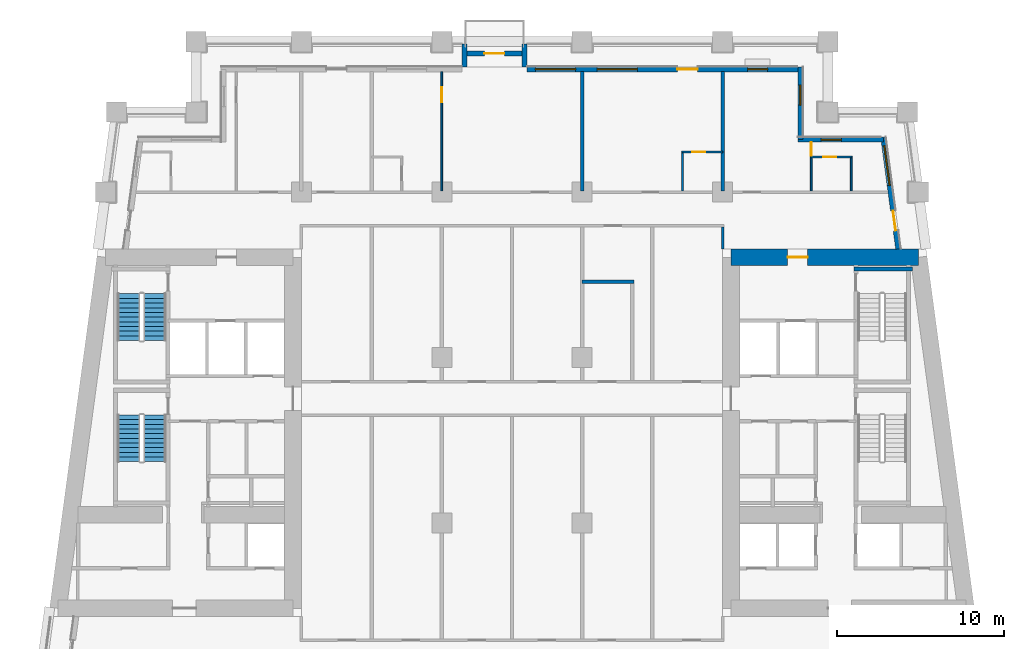
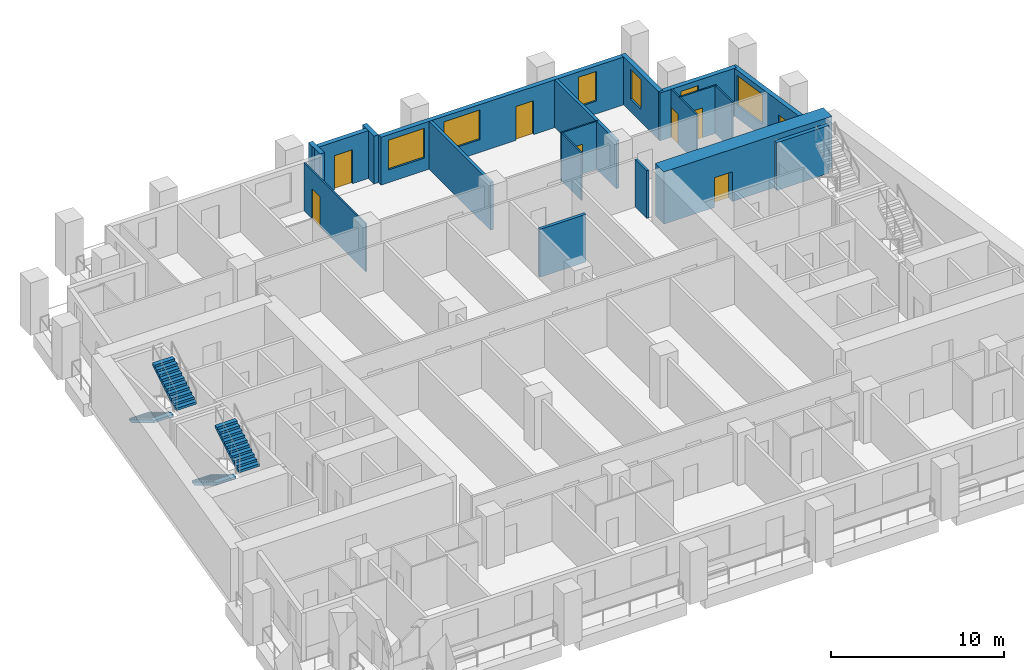
# One storey, part 7 of 13: 19 walls, 8 doors, 6 windows, 4 stair flights, 14 openings, 2 elements without a shape of their own.
"""IFC4 building model written with IfcOpenShell, lengths in metres."""

from ifc_helpers import new_model, si_unit, direction, frame, frame_2d, origin, place, context, subcontext, project, spatial, polyline, rectangle, outline, extrude, material, layer, layer_set, type_object, element, fill, aggregate, save


model = new_model("IFC4")

# Units and contexts
model_context = context("Model", 3, precision=1e-05, world=origin(), true_north=direction((0.0, 1.0)))
body_context = subcontext(model_context, "Body", "Model", "MODEL_VIEW")
ifc_project = project(units=[si_unit("LENGTHUNIT", "METRE"), si_unit("AREAUNIT", "SQUARE_METRE"), si_unit("VOLUMEUNIT", "CUBIC_METRE"), si_unit("PLANEANGLEUNIT", "RADIAN"), si_unit("MASSUNIT", "GRAM", prefix="KILO")], contexts=[model_context])

# Site, building, storey
site_placement = place(None, origin())
site = spatial("IfcSite", under=ifc_project, at=site_placement, CompositionType="ELEMENT")
building_placement = place(site_placement, origin())
building = spatial("IfcBuilding", under=site, at=building_placement, Name="Candeia Pilgrim Tower and Theatre", CompositionType="ELEMENT")
storey_placement = place(building_placement, frame((0.0, 0.0, 98.39990234375)))
storey = spatial("IfcBuildingStorey", under=building, at=storey_placement, Name="L22", CompositionType="ELEMENT", Elevation=98.39990234375)

# Wall, opening, door
ifc_material_1 = material(Name="Concrete C70/85", Category="concrete")
ifc_layer_1 = layer(ifc_material_1, 1.0)
ifc_layer_set_1 = layer_set([ifc_layer_1], Name="Core wall 1000 C70/85")
wall_type_1 = type_object("IfcWallType", Name="Core wall 1000 C70/85", PredefinedType="SHEAR", material=ifc_layer_set_1)
wall_1_placement = place(storey_placement, frame((126.5, 131.89990234375, 0.0), z_axis=(0.0, 0.0, 1.0), x_axis=(1.0, 0.0, 0.0)))
wall_1 = element("IfcWall", 1, at=wall_1_placement, inside=storey, type_object=wall_type_1, Name="Core wall E1", PredefinedType="SHEAR", context=body_context, shape_type="SweptSolid", body=[
    extrude(rectangle(XDim=11.23193359375, YDim=1.0, at=frame_2d((5.615966796875, 0.0))), origin(), (0.0, 0.0, 1.0), 3.7001953125),
])
opening_1_placement = place(wall_1_placement, frame((3.386474609375, 0.0, 0.0)))
opening_1 = element("IfcOpeningElement", 2, at=opening_1_placement, cuts=wall_1, Name="Opening L22-D063", PredefinedType="OPENING", context=body_context, shape_type="SweptSolid", body=[
    extrude(rectangle(XDim=1.199951171875, YDim=2.10009765625, at=frame_2d((0.60009765625, 1.050048828125))), frame((0.0, 0.510009765625, 0.0), z_axis=(0.0, -1.0, 0.0), x_axis=(1.0, 0.0, 0.0)), (0.0, 0.0, 1.0), 1.02001953125),
])
ifc_material_2 = material(Name="Steel fire door set", Category="steel")
door_type_1 = type_object("IfcDoorType", Name="D-1200-FD60", OperationType="NOTDEFINED", PredefinedType="DOOR", material=ifc_material_2)
door_1_placement = place(opening_1_placement, origin())
door_1 = element("IfcDoor", 3, at=door_1_placement, inside=storey, type_object=door_type_1, Name="Door L22-D063", OperationType="SINGLE_SWING_LEFT", OverallHeight=2.10009765625, OverallWidth=1.199951171875, PredefinedType="DOOR", context=body_context, shape_type="SweptSolid", body=[
    extrude(rectangle(XDim=1.199951171875, YDim=2.10009765625, at=frame_2d((0.60009765625, 1.050048828125))), frame((0.0, 0.02490234375, 0.0), z_axis=(0.0, -1.0, 0.0), x_axis=(1.0, 0.0, 0.0)), (0.0, 0.0, 1.0), 0.050048828125),
])
fill(opening_1, door_1)

# Wall, openings, door, window
ifc_material_3 = material(Name="Ceramic block masonry", Category="masonry")
ifc_layer_2 = layer(ifc_material_3, 0.300048828125)
ifc_layer_set_2 = layer_set([ifc_layer_2], Name="EW1 glazing-line wall 300")
wall_type_2 = type_object("IfcWallType", Name="EW1 glazing-line wall 300", PredefinedType="SOLIDWALL", material=ifc_layer_set_2)
wall_2_placement = place(storey_placement, frame((136.50439453125, 132.39990234375, 0.0), z_axis=(0.0, 0.0, 1.0), x_axis=(-0.133399697462, 0.99106231929, 0.0)))
wall_2 = element("IfcWall", 4, at=wall_2_placement, inside=storey, type_object=wall_type_2, Name="External wall L22-3.1", PredefinedType="SOLIDWALL", context=body_context, shape_type="SweptSolid", body=[
    extrude(rectangle(XDim=6.740478515625, YDim=0.300048828125, at=frame_2d((3.3701171875, 0.0))), origin(), (0.0, 0.0, 1.0), 3.380126953125),
])
opening_2_placement = place(wall_2_placement, frame((1.115234375, 0.0, 0.0)))
opening_2 = element("IfcOpeningElement", 5, at=opening_2_placement, cuts=wall_2, Name="Opening L22-ED227", PredefinedType="OPENING", context=body_context, shape_type="SweptSolid", body=[
    extrude(rectangle(XDim=1.199951171875, YDim=2.39990234375, at=frame_2d((0.60009765625, 1.199951171875))), frame((0.0, 0.16015625, 0.0), z_axis=(0.0, -1.0, 0.0), x_axis=(1.0, 0.0, 0.0)), (0.0, 0.0, 1.0), 0.320068359375),
])
opening_3_placement = place(wall_2_placement, frame((3.83544921875, 0.0, 0.89990234375)))
opening_3 = element("IfcOpeningElement", 6, at=opening_3_placement, cuts=wall_2, Name="Opening W-A", PredefinedType="OPENING", context=body_context, shape_type="SweptSolid", body=[
    extrude(rectangle(XDim=2.39990234375, YDim=2.10009765625, at=frame_2d((1.199951171875, 1.050048828125))), frame((0.0, 0.16015625, 0.0), z_axis=(0.0, -1.0, 0.0), x_axis=(1.0, 0.0, 0.0)), (0.0, 0.0, 1.0), 0.320068359375),
])
ifc_material_4 = material(Name="Aluminium framed glazed door", Category="aluminium")
door_type_2 = type_object("IfcDoorType", Name="Loggia door 1200x2400", OperationType="DOUBLE_DOOR_SINGLE_SWING", PredefinedType="DOOR", material=ifc_material_4)
door_2_placement = place(opening_2_placement, origin())
door_2 = element("IfcDoor", 7, at=door_2_placement, inside=storey, type_object=door_type_2, Name="Loggia door L22-ED227", OperationType="DOUBLE_DOOR_SINGLE_SWING", OverallHeight=2.39990234375, OverallWidth=1.199951171875, PredefinedType="DOOR", context=body_context, shape_type="SweptSolid", body=[
    extrude(rectangle(XDim=1.199951171875, YDim=2.39990234375, at=frame_2d((0.60009765625, 1.199951171875))), frame((0.0, 0.02490234375, 0.0), z_axis=(0.0, -1.0, 0.0), x_axis=(1.0, 0.0, 0.0)), (0.0, 0.0, 1.0), 0.050048828125),
])
fill(opening_2, door_2)
ifc_material_5 = material(Name="Aluminium framed double glazing", Category="aluminium")
window_type_1 = type_object("IfcWindowType", Name="W-A window 2400x2100", PartitioningType="DOUBLE_PANEL_VERTICAL", PredefinedType="WINDOW", material=ifc_material_5)
window_1_placement = place(opening_3_placement, origin())
window_1 = element("IfcWindow", 8, at=window_1_placement, inside=storey, type_object=window_type_1, Name="Window W-A L22", OverallHeight=2.10009765625, OverallWidth=2.39990234375, PartitioningType="SINGLE_PANEL", PredefinedType="WINDOW", context=body_context, shape_type="SweptSolid", body=[
    extrude(rectangle(XDim=2.39990234375, YDim=2.10009765625, at=frame_2d((1.199951171875, 1.050048828125))), frame((0.0, 0.030029296875, 0.0), z_axis=(0.0, -1.0, 0.0), x_axis=(1.0, 0.0, 0.0)), (0.0, 0.0, 1.0), 0.06005859375),
])
fill(opening_3, window_1)

# Wall, opening, window
wall_3_placement = place(storey_placement, frame((135.62255859375, 138.949951171875, 0.0), z_axis=(0.0, 0.0, 1.0), x_axis=(-1.0, 0.0, 0.0)))
wall_3 = element("IfcWall", 9, at=wall_3_placement, inside=storey, type_object=wall_type_2, Name="External wall L22-4.0", PredefinedType="SOLIDWALL", context=body_context, shape_type="SweptSolid", body=[
    extrude(rectangle(XDim=5.12255859375, YDim=0.300048828125, at=frame_2d((2.561279296875, 0.0))), origin(), (0.0, 0.0, 1.0), 3.380126953125),
])
opening_4_placement = place(wall_3_placement, frame((2.522705078125, 0.0, 0.89990234375)))
opening_4 = element("IfcOpeningElement", 10, at=opening_4_placement, cuts=wall_3, Name="Opening W-B", PredefinedType="OPENING", context=body_context, shape_type="SweptSolid", body=[
    extrude(rectangle(XDim=1.199951171875, YDim=2.10009765625, at=frame_2d((0.60009765625, 1.050048828125))), frame((0.0, 0.16015625, 0.0), z_axis=(0.0, -1.0, 0.0), x_axis=(1.0, 0.0, 0.0)), (0.0, 0.0, 1.0), 0.320068359375),
])
window_type_2 = type_object("IfcWindowType", Name="W-B window 1200x2100", PartitioningType="SINGLE_PANEL", PredefinedType="WINDOW", material=ifc_material_5)
window_2_placement = place(opening_4_placement, origin())
window_2 = element("IfcWindow", 11, at=window_2_placement, inside=storey, type_object=window_type_2, Name="Window W-B L22", OverallHeight=2.10009765625, OverallWidth=1.199951171875, PartitioningType="SINGLE_PANEL", PredefinedType="WINDOW", context=body_context, shape_type="SweptSolid", body=[
    extrude(rectangle(XDim=1.199951171875, YDim=2.10009765625, at=frame_2d((0.60009765625, 1.050048828125))), frame((0.0, 0.030029296875, 0.0), z_axis=(0.0, -1.0, 0.0), x_axis=(1.0, 0.0, 0.0)), (0.0, 0.0, 1.0), 0.06005859375),
])
fill(opening_4, window_2)

wall_4_placement = place(storey_placement, frame((130.64990234375, 138.949951171875, 0.0), z_axis=(0.0, 0.0, 1.0), x_axis=(0.0, 1.0, 0.0)))
wall_4 = element("IfcWall", 12, at=wall_4_placement, inside=storey, type_object=wall_type_2, Name="External wall L22-5.0", PredefinedType="SOLIDWALL", context=body_context, shape_type="SweptSolid", body=[
    extrude(rectangle(XDim=4.35009765625, YDim=0.300048828125, at=frame_2d((2.175048828125, 0.0))), origin(), (0.0, 0.0, 1.0), 3.380126953125),
])
opening_5_placement = place(wall_4_placement, frame((2.050048828125, 0.0, 0.89990234375)))
opening_5 = element("IfcOpeningElement", 13, at=opening_5_placement, cuts=wall_4, Name="Opening W-B", PredefinedType="OPENING", context=body_context, shape_type="SweptSolid", body=[
    extrude(rectangle(XDim=1.199951171875, YDim=2.10009765625, at=frame_2d((0.60009765625, 1.050048828125))), frame((0.0, 0.16015625, 0.0), z_axis=(0.0, -1.0, 0.0), x_axis=(1.0, 0.0, 0.0)), (0.0, 0.0, 1.0), 0.320068359375),
])
window_3_placement = place(opening_5_placement, origin())
window_3 = element("IfcWindow", 14, at=window_3_placement, inside=storey, type_object=window_type_2, Name="Window W-B L22", OverallHeight=2.10009765625, OverallWidth=1.199951171875, PartitioningType="SINGLE_PANEL", PredefinedType="WINDOW", context=body_context, shape_type="SweptSolid", body=[
    extrude(rectangle(XDim=1.199951171875, YDim=2.10009765625, at=frame_2d((0.60009765625, 1.050048828125))), frame((0.0, 0.030029296875, 0.0), z_axis=(0.0, -1.0, 0.0), x_axis=(1.0, 0.0, 0.0)), (0.0, 0.0, 1.0), 0.06005859375),
])
fill(opening_5, window_3)

# Wall, openings, door, windows
wall_5_placement = place(storey_placement, frame((130.64990234375, 143.14990234375, 0.0), z_axis=(0.0, 0.0, 1.0), x_axis=(-1.0, 0.0, 0.0)))
wall_5 = element("IfcWall", 15, at=wall_5_placement, inside=storey, type_object=wall_type_2, Name="External wall L22-6.0", PredefinedType="SOLIDWALL", context=body_context, shape_type="SweptSolid", body=[
    extrude(rectangle(XDim=16.349853515625, YDim=0.300048828125, at=frame_2d((8.1748046875, 0.0))), origin(), (0.0, 0.0, 1.0), 3.380126953125),
])
opening_6_placement = place(wall_5_placement, frame((1.949951171875, 0.0, 0.89990234375)))
opening_6 = element("IfcOpeningElement", 16, at=opening_6_placement, cuts=wall_5, Name="Opening W-B", PredefinedType="OPENING", context=body_context, shape_type="SweptSolid", body=[
    extrude(rectangle(XDim=1.199951171875, YDim=2.10009765625, at=frame_2d((0.60009765625, 1.050048828125))), frame((0.0, 0.16015625, 0.0), z_axis=(0.0, -1.0, 0.0), x_axis=(1.0, 0.0, 0.0)), (0.0, 0.0, 1.0), 0.320068359375),
])
opening_7_placement = place(wall_5_placement, frame((6.14990234375, 0.0, 0.0)))
opening_7 = element("IfcOpeningElement", 17, at=opening_7_placement, cuts=wall_5, Name="Opening L22-ED228", PredefinedType="OPENING", context=body_context, shape_type="SweptSolid", body=[
    extrude(rectangle(XDim=1.199951171875, YDim=2.39990234375, at=frame_2d((0.60009765625, 1.199951171875))), frame((0.0, 0.16015625, 0.0), z_axis=(0.0, -1.0, 0.0), x_axis=(1.0, 0.0, 0.0)), (0.0, 0.0, 1.0), 0.320068359375),
])
opening_8_placement = place(wall_5_placement, frame((9.75, 0.0, 0.89990234375)))
opening_8 = element("IfcOpeningElement", 18, at=opening_8_placement, cuts=wall_5, Name="Opening W-A", PredefinedType="OPENING", context=body_context, shape_type="SweptSolid", body=[
    extrude(rectangle(XDim=2.39990234375, YDim=2.10009765625, at=frame_2d((1.199951171875, 1.050048828125))), frame((0.0, 0.16015625, 0.0), z_axis=(0.0, -1.0, 0.0), x_axis=(1.0, 0.0, 0.0)), (0.0, 0.0, 1.0), 0.320068359375),
])
opening_9_placement = place(wall_5_placement, frame((13.449951171875, 0.0, 0.89990234375)))
opening_9 = element("IfcOpeningElement", 19, at=opening_9_placement, cuts=wall_5, Name="Opening W-A", PredefinedType="OPENING", context=body_context, shape_type="SweptSolid", body=[
    extrude(rectangle(XDim=2.39990234375, YDim=2.10009765625, at=frame_2d((1.199951171875, 1.050048828125))), frame((0.0, 0.16015625, 0.0), z_axis=(0.0, -1.0, 0.0), x_axis=(1.0, 0.0, 0.0)), (0.0, 0.0, 1.0), 0.320068359375),
])
door_3_placement = place(opening_7_placement, origin())
door_3 = element("IfcDoor", 20, at=door_3_placement, inside=storey, type_object=door_type_2, Name="Loggia door L22-ED228", OperationType="DOUBLE_DOOR_SINGLE_SWING", OverallHeight=2.39990234375, OverallWidth=1.199951171875, PredefinedType="DOOR", context=body_context, shape_type="SweptSolid", body=[
    extrude(rectangle(XDim=1.199951171875, YDim=2.39990234375, at=frame_2d((0.60009765625, 1.199951171875))), frame((0.0, 0.02490234375, 0.0), z_axis=(0.0, -1.0, 0.0), x_axis=(1.0, 0.0, 0.0)), (0.0, 0.0, 1.0), 0.050048828125),
])
fill(opening_7, door_3)
window_4_placement = place(opening_8_placement, origin())
window_4 = element("IfcWindow", 21, at=window_4_placement, inside=storey, type_object=window_type_1, Name="Window W-A L22", OverallHeight=2.10009765625, OverallWidth=2.39990234375, PartitioningType="SINGLE_PANEL", PredefinedType="WINDOW", context=body_context, shape_type="SweptSolid", body=[
    extrude(rectangle(XDim=2.39990234375, YDim=2.10009765625, at=frame_2d((1.199951171875, 1.050048828125))), frame((0.0, 0.030029296875, 0.0), z_axis=(0.0, -1.0, 0.0), x_axis=(1.0, 0.0, 0.0)), (0.0, 0.0, 1.0), 0.06005859375),
])
fill(opening_8, window_4)
window_5_placement = place(opening_9_placement, origin())
window_5 = element("IfcWindow", 22, at=window_5_placement, inside=storey, type_object=window_type_1, Name="Window W-A L22", OverallHeight=2.10009765625, OverallWidth=2.39990234375, PartitioningType="SINGLE_PANEL", PredefinedType="WINDOW", context=body_context, shape_type="SweptSolid", body=[
    extrude(rectangle(XDim=2.39990234375, YDim=2.10009765625, at=frame_2d((1.199951171875, 1.050048828125))), frame((0.0, 0.030029296875, 0.0), z_axis=(0.0, -1.0, 0.0), x_axis=(1.0, 0.0, 0.0)), (0.0, 0.0, 1.0), 0.06005859375),
])
fill(opening_9, window_5)
window_6_placement = place(opening_6_placement, origin())
window_6 = element("IfcWindow", 23, at=window_6_placement, inside=storey, type_object=window_type_2, Name="Window W-B L22", OverallHeight=2.10009765625, OverallWidth=1.199951171875, PartitioningType="SINGLE_PANEL", PredefinedType="WINDOW", context=body_context, shape_type="SweptSolid", body=[
    extrude(rectangle(XDim=1.199951171875, YDim=2.10009765625, at=frame_2d((0.60009765625, 1.050048828125))), frame((0.0, 0.030029296875, 0.0), z_axis=(0.0, -1.0, 0.0), x_axis=(1.0, 0.0, 0.0)), (0.0, 0.0, 1.0), 0.06005859375),
])
fill(opening_6, window_6)

# Walls
ifc_layer_3 = layer(ifc_material_3, 0.300048828125)
ifc_layer_set_3 = layer_set([ifc_layer_3], Name="EW2 entrance infill wall 300")
wall_type_3 = type_object("IfcWallType", Name="EW2 entrance infill wall 300", PredefinedType="SOLIDWALL", material=ifc_layer_set_3)
for number, where, z_axis, x_axis, name in (
    (24, (114.14990234375, 143.300048828125, 0.0), (0.0, 0.0, 1.0), (0.0, 1.0, 0.0), "Alcove wall L22"),
    (25, (110.550048828125, 143.300048828125, 0.0), (0.0, 0.0, 1.0), (0.0, 1.0, 0.0), "Alcove wall L22"),
):
    element("IfcWall", number, at=place(storey_placement, frame(where, z_axis=z_axis, x_axis=x_axis)), inside=storey, type_object=wall_type_3, Name=name, PredefinedType="SOLIDWALL", context=body_context, shape_type="SweptSolid", body=[
        extrude(rectangle(XDim=1.349853515625, YDim=0.300048828125, at=frame_2d((0.6748046875, 0.0))), origin(), (0.0, 0.0, 1.0), 3.380126953125),
    ])

# Wall, opening, door
wall_6_placement = place(storey_placement, frame((114.300048828125, 144.10009765625, 0.0), z_axis=(0.0, 0.0, 1.0), x_axis=(-1.0, 0.0, 0.0)))
wall_6 = element("IfcWall", 26, at=wall_6_placement, inside=storey, type_object=wall_type_3, Name="Alcove wall L22", PredefinedType="SOLIDWALL", context=body_context, shape_type="SweptSolid", body=[
    extrude(rectangle(XDim=3.900146484375, YDim=0.300048828125, at=frame_2d((1.9501953125, 0.0))), origin(), (0.0, 0.0, 1.0), 3.380126953125),
])
opening_10_placement = place(wall_6_placement, frame((1.35009765625, 0.0, 0.0)))
opening_10 = element("IfcOpeningElement", 27, at=opening_10_placement, cuts=wall_6, Name="Opening L22-ED230", PredefinedType="OPENING", context=body_context, shape_type="SweptSolid", body=[
    extrude(rectangle(XDim=1.199951171875, YDim=2.39990234375, at=frame_2d((0.60009765625, 1.199951171875))), frame((0.0, 0.16015625, 0.0), z_axis=(0.0, -1.0, 0.0), x_axis=(1.0, 0.0, 0.0)), (0.0, 0.0, 1.0), 0.320068359375),
])
door_4_placement = place(opening_10_placement, origin())
door_4 = element("IfcDoor", 28, at=door_4_placement, inside=storey, type_object=door_type_2, Name="Balcony door L22-ED230", OperationType="DOUBLE_DOOR_SINGLE_SWING", OverallHeight=2.39990234375, OverallWidth=1.199951171875, PredefinedType="DOOR", context=body_context, shape_type="SweptSolid", body=[
    extrude(rectangle(XDim=1.199951171875, YDim=2.39990234375, at=frame_2d((0.60009765625, 1.199951171875))), frame((0.0, 0.02490234375, 0.0), z_axis=(0.0, -1.0, 0.0), x_axis=(1.0, 0.0, 0.0)), (0.0, 0.0, 1.0), 0.050048828125),
])
fill(opening_10, door_4)

ifc_material_6 = material(Name="Gypsum board partition on steel studs", Category="steel")
ifc_layer_4 = layer(ifc_material_6, 0.10009765625)
ifc_layer_set_4 = layer_set([ifc_layer_4], Name="PW-100 room partition")
wall_type_4 = type_object("IfcWallType", Name="PW-100 room partition", PredefinedType="PARTITIONING", material=ifc_layer_set_4)
wall_7_placement = place(storey_placement, frame((131.300048828125, 137.89990234375, 0.0), z_axis=(0.0, 0.0, 1.0), x_axis=(1.0, 0.0, 0.0)))
wall_7 = element("IfcWall", 29, at=wall_7_placement, inside=storey, type_object=wall_type_4, Name="Room partition L22-045", PredefinedType="PARTITIONING", context=body_context, shape_type="SweptSolid", body=[
    extrude(rectangle(XDim=2.449951171875, YDim=0.10009765625, at=frame_2d((1.22509765625, 0.0))), origin(), (0.0, 0.0, 1.0), 3.380126953125),
])
opening_11_placement = place(wall_7_placement, frame((0.7099609375, 0.0, 0.0)))
opening_11 = element("IfcOpeningElement", 30, at=opening_11_placement, cuts=wall_7, Name="Opening L22-D045", PredefinedType="OPENING", context=body_context, shape_type="SweptSolid", body=[
    extrude(rectangle(XDim=0.800048828125, YDim=2.10009765625, at=frame_2d((0.39990234375, 1.050048828125))), frame((0.0, 0.06005859375, 0.0), z_axis=(0.0, -1.0, 0.0), x_axis=(1.0, 0.0, 0.0)), (0.0, 0.0, 1.0), 0.1201171875),
])
ifc_material_7 = material(Name="Timber door leaf", Category="wood")
door_type_3 = type_object("IfcDoorType", Name="D-800", OperationType="NOTDEFINED", PredefinedType="DOOR", material=ifc_material_7)
door_5_placement = place(opening_11_placement, origin())
door_5 = element("IfcDoor", 31, at=door_5_placement, inside=storey, type_object=door_type_3, Name="Door L22-D045", OperationType="SINGLE_SWING_LEFT", OverallHeight=2.10009765625, OverallWidth=0.800048828125, PredefinedType="DOOR", context=body_context, shape_type="SweptSolid", body=[
    extrude(rectangle(XDim=0.800048828125, YDim=2.10009765625, at=frame_2d((0.39990234375, 1.050048828125))), frame((0.0, 0.02490234375, 0.0), z_axis=(0.0, -1.0, 0.0), x_axis=(1.0, 0.0, 0.0)), (0.0, 0.0, 1.0), 0.050048828125),
])
fill(opening_11, door_5)

wall_8_placement = place(storey_placement, frame((123.550048828125, 138.199951171875, 0.0), z_axis=(0.0, 0.0, 1.0), x_axis=(1.0, 0.0, 0.0)))
wall_8 = element("IfcWall", 32, at=wall_8_placement, inside=storey, type_object=wall_type_4, Name="Room partition L22-047", PredefinedType="PARTITIONING", context=body_context, shape_type="SweptSolid", body=[
    extrude(rectangle(XDim=2.449951171875, YDim=0.10009765625, at=frame_2d((1.22509765625, 0.0))), origin(), (0.0, 0.0, 1.0), 3.380126953125),
])
opening_12_placement = place(wall_8_placement, frame((0.625, 0.0, 0.0)))
opening_12 = element("IfcOpeningElement", 33, at=opening_12_placement, cuts=wall_8, Name="Opening L22-D042", PredefinedType="OPENING", context=body_context, shape_type="SweptSolid", body=[
    extrude(rectangle(XDim=0.800048828125, YDim=2.10009765625, at=frame_2d((0.39990234375, 1.050048828125))), frame((0.0, 0.06005859375, 0.0), z_axis=(0.0, -1.0, 0.0), x_axis=(1.0, 0.0, 0.0)), (0.0, 0.0, 1.0), 0.1201171875),
])
door_6_placement = place(opening_12_placement, origin())
door_6 = element("IfcDoor", 34, at=door_6_placement, inside=storey, type_object=door_type_3, Name="Door L22-D042", OperationType="SINGLE_SWING_RIGHT", OverallHeight=2.10009765625, OverallWidth=0.800048828125, PredefinedType="DOOR", context=body_context, shape_type="SweptSolid", body=[
    extrude(rectangle(XDim=0.800048828125, YDim=2.10009765625, at=frame_2d((0.39990234375, 1.050048828125))), frame((0.0, 0.02490234375, 0.0), z_axis=(0.0, -1.0, 0.0), x_axis=(1.0, 0.0, 0.0)), (0.0, 0.0, 1.0), 0.050048828125),
])
fill(opening_12, door_6)

wall_9_placement = place(storey_placement, frame((109.199951171875, 135.875, 0.0), z_axis=(0.0, 0.0, 1.0), x_axis=(0.0, 1.0, 0.0)))
wall_9 = element("IfcWall", 35, at=wall_9_placement, inside=storey, type_object=wall_type_4, Name="Room partition L22-081", PredefinedType="PARTITIONING", context=body_context, shape_type="SweptSolid", body=[
    extrude(rectangle(XDim=7.135009765625, YDim=0.10009765625, at=frame_2d((3.5673828125, 0.0))), origin(), (0.0, 0.0, 1.0), 3.380126953125),
])
opening_13_placement = place(wall_9_placement, frame((5.2900390625, 0.0, 0.0)))
opening_13 = element("IfcOpeningElement", 36, at=opening_13_placement, cuts=wall_9, Name="Opening L22-D039", PredefinedType="OPENING", context=body_context, shape_type="SweptSolid", body=[
    extrude(rectangle(XDim=0.89990234375, YDim=2.10009765625, at=frame_2d((0.449951171875, 1.050048828125))), frame((0.0, 0.06005859375, 0.0), z_axis=(0.0, -1.0, 0.0), x_axis=(1.0, 0.0, 0.0)), (0.0, 0.0, 1.0), 0.1201171875),
])
door_type_4 = type_object("IfcDoorType", Name="D-900", OperationType="NOTDEFINED", PredefinedType="DOOR", material=ifc_material_7)
door_7_placement = place(opening_13_placement, origin())
door_7 = element("IfcDoor", 37, at=door_7_placement, inside=storey, type_object=door_type_4, Name="Door L22-D039", OperationType="SINGLE_SWING_LEFT", OverallHeight=2.10009765625, OverallWidth=0.89990234375, PredefinedType="DOOR", context=body_context, shape_type="SweptSolid", body=[
    extrude(rectangle(XDim=0.89990234375, YDim=2.10009765625, at=frame_2d((0.449951171875, 1.050048828125))), frame((0.0, 0.02490234375, 0.0), z_axis=(0.0, -1.0, 0.0), x_axis=(1.0, 0.0, 0.0)), (0.0, 0.0, 1.0), 0.050048828125),
])
fill(opening_13, door_7)

# Wall
wall_10_placement = place(storey_placement, frame((123.60009765625, 135.875, 0.0), z_axis=(0.0, 0.0, 1.0), x_axis=(0.0, 1.0, 0.0)))
element("IfcWall", 38, at=wall_10_placement, inside=storey, type_object=wall_type_4, Name="Room partition L22-098", PredefinedType="PARTITIONING", context=body_context, shape_type="SweptSolid", body=[
    extrude(rectangle(XDim=2.27490234375, YDim=0.10009765625, at=frame_2d((1.137451171875, 0.0))), origin(), (0.0, 0.0, 1.0), 3.380126953125),
])

# Wall, opening, door
wall_11_placement = place(storey_placement, frame((131.300048828125, 135.875, 0.0), z_axis=(0.0, 0.0, 1.0), x_axis=(0.0, 1.0, 0.0)))
wall_11 = element("IfcWall", 39, at=wall_11_placement, inside=storey, type_object=wall_type_4, Name="Room partition L22-107", PredefinedType="PARTITIONING", context=body_context, shape_type="SweptSolid", body=[
    extrude(rectangle(XDim=2.93505859375, YDim=0.10009765625, at=frame_2d((1.467529296875, 0.0))), origin(), (0.0, 0.0, 1.0), 3.380126953125),
])
opening_14_placement = place(wall_11_placement, frame((2.10498046875, 0.0, 0.0)))
opening_14 = element("IfcOpeningElement", 40, at=opening_14_placement, cuts=wall_11, Name="Opening L22-D044", PredefinedType="OPENING", context=body_context, shape_type="SweptSolid", body=[
    extrude(rectangle(XDim=0.800048828125, YDim=2.10009765625, at=frame_2d((0.39990234375, 1.050048828125))), frame((0.0, 0.06005859375, 0.0), z_axis=(0.0, -1.0, 0.0), x_axis=(1.0, 0.0, 0.0)), (0.0, 0.0, 1.0), 0.1201171875),
])
door_8_placement = place(opening_14_placement, origin())
door_8 = element("IfcDoor", 41, at=door_8_placement, inside=storey, type_object=door_type_3, Name="Door L22-D044", OperationType="SINGLE_SWING_RIGHT", OverallHeight=2.10009765625, OverallWidth=0.800048828125, PredefinedType="DOOR", context=body_context, shape_type="SweptSolid", body=[
    extrude(rectangle(XDim=0.800048828125, YDim=2.10009765625, at=frame_2d((0.39990234375, 1.050048828125))), frame((0.0, 0.02490234375, 0.0), z_axis=(0.0, -1.0, 0.0), x_axis=(1.0, 0.0, 0.0)), (0.0, 0.0, 1.0), 0.050048828125),
])
fill(opening_14, door_8)

# Walls
wall_12_placement = place(storey_placement, frame((133.699951171875, 135.875, 0.0), z_axis=(0.0, 0.0, 1.0), x_axis=(0.0, 1.0, 0.0)))
element("IfcWall", 42, at=wall_12_placement, inside=storey, type_object=wall_type_4, Name="Room partition L22-113", PredefinedType="PARTITIONING", context=body_context, shape_type="SweptSolid", body=[
    extrude(rectangle(XDim=1.97509765625, YDim=0.10009765625, at=frame_2d((0.987548828125, 0.0))), origin(), (0.0, 0.0, 1.0), 3.380126953125),
])
ifc_layer_5 = layer(ifc_material_6, 0.14990234375)
ifc_layer_set_5 = layer_set([ifc_layer_5], Name="PW-150 unit wall")
wall_type_5 = type_object("IfcWallType", Name="PW-150 unit wall", PredefinedType="PARTITIONING", material=ifc_layer_set_5)
wall_13_placement = place(storey_placement, frame((126.0, 132.39990234375, 0.0), z_axis=(0.0, 0.0, 1.0), x_axis=(0.0, 1.0, 0.0)))
element("IfcWall", 43, at=wall_13_placement, inside=storey, type_object=wall_type_5, Name="Unit wall L22-102", PredefinedType="PARTITIONING", context=body_context, shape_type="SweptSolid", body=[
    extrude(rectangle(XDim=1.3251953125, YDim=0.14990234375, at=frame_2d((0.66259765625, 0.0))), origin(), (0.0, 0.0, 1.0), 3.380126953125),
])
ifc_layer_6 = layer(ifc_material_6, 0.199951171875)
ifc_layer_set_6 = layer_set([ifc_layer_6], Name="PW-200 party wall")
wall_type_6 = type_object("IfcWallType", Name="PW-200 party wall", PredefinedType="PARTITIONING", material=ifc_layer_set_6)
wall_14_placement = place(storey_placement, frame((117.60009765625, 130.449951171875, 0.0), z_axis=(0.0, 0.0, 1.0), x_axis=(1.0, 0.0, 0.0)))
element("IfcWall", 44, at=wall_14_placement, inside=storey, type_object=wall_type_6, Name="Party wall L22-039", PredefinedType="PARTITIONING", context=body_context, shape_type="SweptSolid", body=[
    extrude(rectangle(XDim=3.099853515625, YDim=0.199951171875, at=frame_2d((1.5498046875, 0.0))), origin(), (0.0, 0.0, 1.0), 3.380126953125),
])
for number, where, z_axis, x_axis, name in (
    (45, (117.60009765625, 135.875, 0.0), (0.0, 0.0, 1.0), (0.0, 1.0, 0.0), "Party wall L22-091"),
    (46, (126.0, 135.875, 0.0), (0.0, 0.0, 1.0), (0.0, 1.0, 0.0), "Party wall L22-100"),
):
    element("IfcWall", number, at=place(storey_placement, frame(where, z_axis=z_axis, x_axis=x_axis)), inside=storey, type_object=wall_type_6, Name=name, PredefinedType="PARTITIONING", context=body_context, shape_type="SweptSolid", body=[
        extrude(rectangle(XDim=7.135009765625, YDim=0.199951171875, at=frame_2d((3.5673828125, 0.0))), origin(), (0.0, 0.0, 1.0), 3.380126953125),
    ])
ifc_material_8 = material(Name="Concrete C40/50", Category="concrete")
ifc_layer_7 = layer(ifc_material_8, 0.25)
ifc_layer_set_7 = layer_set([ifc_layer_7], Name="SW-250 stair wall")
wall_type_7 = type_object("IfcWallType", Name="SW-250 stair wall", PredefinedType="PARTITIONING", material=ifc_layer_set_7)
wall_15_placement = place(storey_placement, frame((133.847900390625, 131.199951171875, 0.0), z_axis=(0.0, 0.0, 1.0), x_axis=(1.0, 0.0, 0.0)))
element("IfcWall", 47, at=wall_15_placement, inside=storey, type_object=wall_type_7, Name="Stair wall L22-041", PredefinedType="PARTITIONING", context=body_context, shape_type="SweptSolid", body=[
    extrude(rectangle(XDim=3.50390625, YDim=0.25, at=frame_2d((1.751953125, 0.0))), origin(), (0.0, 0.0, 1.0), 3.380126953125),
])

# Stair, stair flights
stair_type = type_object("IfcStairType", Name="ST-TWR dog-leg escape stair", PredefinedType="HALF_TURN_STAIR", material=ifc_material_8)
stair_1_placement = place(storey_placement, origin())
stair_1 = element("IfcStair", 48, at=stair_1_placement, inside=storey, type_object=stair_type, Name="L22 Escape stair ST1", PredefinedType="HALF_TURN_STAIR")
stair_flight_type = type_object("IfcStairFlightType", Name="SFL-RC stair flight", PredefinedType="STRAIGHT", material=ifc_material_8)
stair_flight_1_placement = place(storey_placement, frame((90.47705078125, 122.47509765625, 0.0), z_axis=(0.0, 0.0, 1.0), x_axis=(0.0, -1.0, 0.0)))
stair_flight_1 = element("IfcStairFlight", 49, at=stair_flight_1_placement, type_object=stair_flight_type, Name="ST1 flight 1", NumberOfRisers=11, NumberOfTreads=10, PredefinedType="STRAIGHT", RiserHeight=0.168181818, TreadLength=0.28, context=body_context, shape_type="SweptSolid", body=[
    extrude(outline(polyline([(0.0, 0.0), (0.0, 0.168212890625), (0.280029296875, 0.168212890625), (0.280029296875, 0.33642578125), (0.56005859375, 0.33642578125), (0.56005859375, 0.504638671875), (0.840087890625, 0.504638671875), (0.840087890625, 0.672607421875), (1.1201171875, 0.672607421875), (1.1201171875, 0.8408203125), (1.39990234375, 0.8408203125), (1.39990234375, 1.009033203125), (1.679931640625, 1.009033203125), (1.679931640625, 1.17724609375), (1.9599609375, 1.17724609375), (1.9599609375, 1.345458984375), (2.239990234375, 1.345458984375), (2.239990234375, 1.513671875), (2.52001953125, 1.513671875), (2.52001953125, 1.681884765625), (2.800048828125, 1.681884765625), (2.800048828125, 1.85009765625), (2.800048828125, 1.5068359375), (0.291015625, 0.0), (0.0, 0.0)])), frame((0.0, 0.675048828125, 0.0), z_axis=(0.0, -1.0, 0.0), x_axis=(1.0, 0.0, 0.0)), (0.0, 0.0, 1.0), 1.35009765625),
])
stair_flight_2_placement = place(storey_placement, frame((92.027099609375, 119.675048828125, 1.85009765625), z_axis=(0.0, 0.0, 1.0), x_axis=(0.0, 1.0, 0.0)))
stair_flight_2 = element("IfcStairFlight", 50, at=stair_flight_2_placement, type_object=stair_flight_type, Name="ST1 flight 2", NumberOfRisers=11, NumberOfTreads=10, PredefinedType="STRAIGHT", RiserHeight=0.168181818, TreadLength=0.28, context=body_context, shape_type="SweptSolid", body=[
    extrude(outline(polyline([(0.0, 0.0), (0.0, 0.168212890625), (0.280029296875, 0.168212890625), (0.280029296875, 0.33642578125), (0.56005859375, 0.33642578125), (0.56005859375, 0.504638671875), (0.840087890625, 0.504638671875), (0.840087890625, 0.672607421875), (1.1201171875, 0.672607421875), (1.1201171875, 0.8408203125), (1.39990234375, 0.8408203125), (1.39990234375, 1.009033203125), (1.679931640625, 1.009033203125), (1.679931640625, 1.17724609375), (1.9599609375, 1.17724609375), (1.9599609375, 1.345458984375), (2.239990234375, 1.345458984375), (2.239990234375, 1.513671875), (2.52001953125, 1.513671875), (2.52001953125, 1.681884765625), (2.800048828125, 1.681884765625), (2.800048828125, 1.85009765625), (2.800048828125, 1.5068359375), (0.291015625, 0.0), (0.0, 0.0)])), frame((0.0, 0.675048828125, 0.0), z_axis=(0.0, -1.0, 0.0), x_axis=(1.0, 0.0, 0.0)), (0.0, 0.0, 1.0), 1.35009765625),
])
aggregate(stair_1, [stair_flight_1, stair_flight_2])

stair_2_placement = place(storey_placement, origin())
stair_2 = element("IfcStair", 51, at=stair_2_placement, inside=storey, type_object=stair_type, Name="L22 Escape stair ST2", PredefinedType="HALF_TURN_STAIR")
stair_flight_3_placement = place(storey_placement, frame((90.47705078125, 129.72509765625, 0.0), z_axis=(0.0, 0.0, 1.0), x_axis=(0.0, -1.0, 0.0)))
stair_flight_3 = element("IfcStairFlight", 52, at=stair_flight_3_placement, type_object=stair_flight_type, Name="ST2 flight 1", NumberOfRisers=11, NumberOfTreads=10, PredefinedType="STRAIGHT", RiserHeight=0.168181818, TreadLength=0.28, context=body_context, shape_type="SweptSolid", body=[
    extrude(outline(polyline([(0.0, 0.0), (0.0, 0.168212890625), (0.280029296875, 0.168212890625), (0.280029296875, 0.33642578125), (0.56005859375, 0.33642578125), (0.56005859375, 0.504638671875), (0.840087890625, 0.504638671875), (0.840087890625, 0.672607421875), (1.1201171875, 0.672607421875), (1.1201171875, 0.8408203125), (1.39990234375, 0.8408203125), (1.39990234375, 1.009033203125), (1.679931640625, 1.009033203125), (1.679931640625, 1.17724609375), (1.9599609375, 1.17724609375), (1.9599609375, 1.345458984375), (2.239990234375, 1.345458984375), (2.239990234375, 1.513671875), (2.52001953125, 1.513671875), (2.52001953125, 1.681884765625), (2.800048828125, 1.681884765625), (2.800048828125, 1.85009765625), (2.800048828125, 1.5068359375), (0.291015625, 0.0), (0.0, 0.0)])), frame((0.0, 0.675048828125, 0.0), z_axis=(0.0, -1.0, 0.0), x_axis=(1.0, 0.0, 0.0)), (0.0, 0.0, 1.0), 1.35009765625),
])
stair_flight_4_placement = place(storey_placement, frame((92.027099609375, 126.925048828125, 1.85009765625), z_axis=(0.0, 0.0, 1.0), x_axis=(0.0, 1.0, 0.0)))
stair_flight_4 = element("IfcStairFlight", 53, at=stair_flight_4_placement, type_object=stair_flight_type, Name="ST2 flight 2", NumberOfRisers=11, NumberOfTreads=10, PredefinedType="STRAIGHT", RiserHeight=0.168181818, TreadLength=0.28, context=body_context, shape_type="SweptSolid", body=[
    extrude(outline(polyline([(0.0, 0.0), (0.0, 0.168212890625), (0.280029296875, 0.168212890625), (0.280029296875, 0.33642578125), (0.56005859375, 0.33642578125), (0.56005859375, 0.504638671875), (0.840087890625, 0.504638671875), (0.840087890625, 0.672607421875), (1.1201171875, 0.672607421875), (1.1201171875, 0.8408203125), (1.39990234375, 0.8408203125), (1.39990234375, 1.009033203125), (1.679931640625, 1.009033203125), (1.679931640625, 1.17724609375), (1.9599609375, 1.17724609375), (1.9599609375, 1.345458984375), (2.239990234375, 1.345458984375), (2.239990234375, 1.513671875), (2.52001953125, 1.513671875), (2.52001953125, 1.681884765625), (2.800048828125, 1.681884765625), (2.800048828125, 1.85009765625), (2.800048828125, 1.5068359375), (0.291015625, 0.0), (0.0, 0.0)])), frame((0.0, 0.675048828125, 0.0), z_axis=(0.0, -1.0, 0.0), x_axis=(1.0, 0.0, 0.0)), (0.0, 0.0, 1.0), 1.35009765625),
])
aggregate(stair_2, [stair_flight_3, stair_flight_4])

save(model, "model.ifc")
